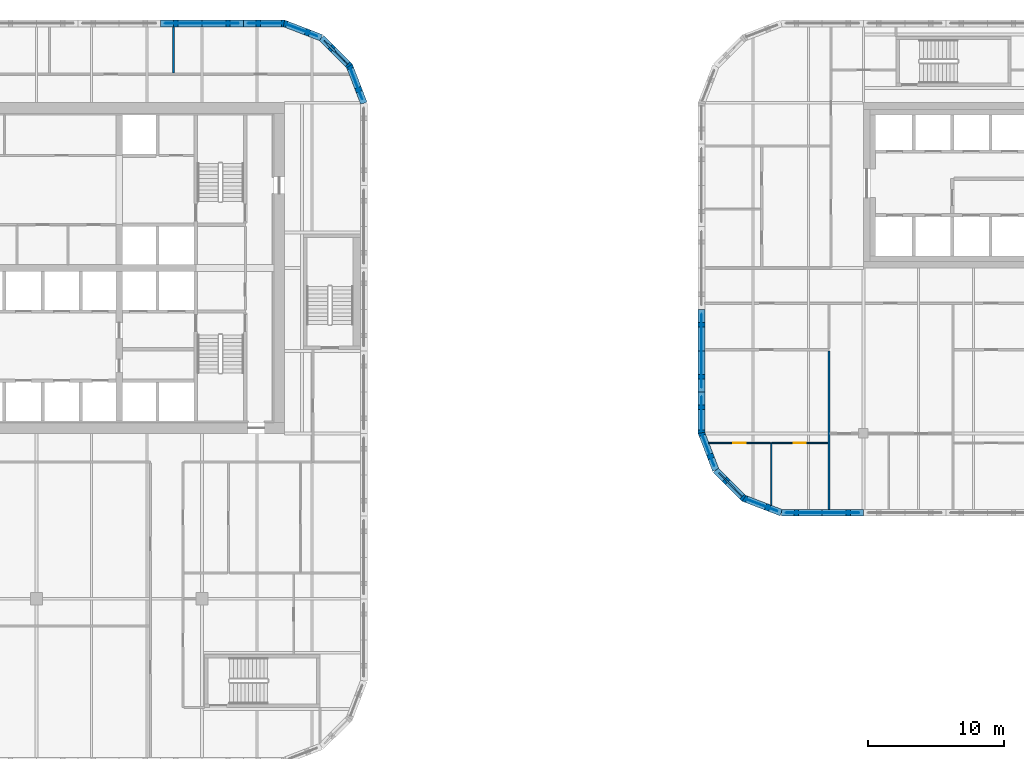
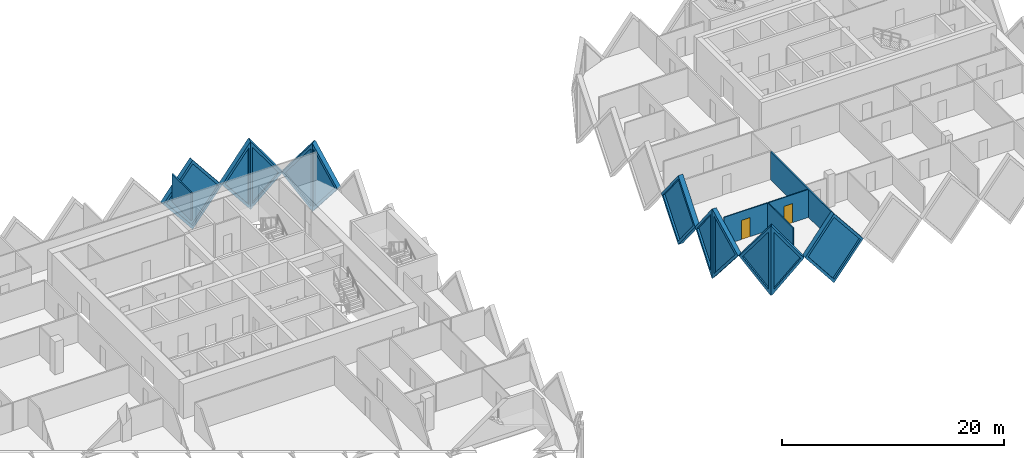
# One storey, part 11 of 18: 16 walls, 11 plates, 2 doors, 13 openings.
"""IFC4 building model written with IfcOpenShell, lengths in metres."""

from ifc_helpers import new_model, si_unit, direction, frame, frame_2d, origin, place, context, subcontext, project, spatial, polyline, rectangle, outline, extrude, faceted_brep, source, transform, mapped, material, layer, layer_set, type_object, element, fill, save


model = new_model("IFC4")

# Units and contexts
model_context = context("Model", 3, precision=1e-05, world=origin(), true_north=direction((0.0, 1.0)))
body_context = subcontext(model_context, "Body", "Model", "MODEL_VIEW")
ifc_project = project(units=[si_unit("LENGTHUNIT", "METRE"), si_unit("AREAUNIT", "SQUARE_METRE"), si_unit("VOLUMEUNIT", "CUBIC_METRE"), si_unit("PLANEANGLEUNIT", "RADIAN"), si_unit("MASSUNIT", "GRAM", prefix="KILO")], contexts=[model_context])

# Site, building, storey
site_placement = place(None, origin())
site = spatial("IfcSite", under=ifc_project, at=site_placement, CompositionType="ELEMENT")
building_placement = place(site_placement, origin())
building = spatial("IfcBuilding", under=site, at=building_placement, Name="Tessera Gate Towers", CompositionType="ELEMENT")
storey_placement = place(building_placement, frame((0.0, 0.0, 99.0)))
storey = spatial("IfcBuildingStorey", under=building, at=storey_placement, Name="L24", CompositionType="ELEMENT", Elevation=99.0)

# Wall
ifc_material_1 = material(Name="Gypsum board on steel studs", Category="steel")
ifc_layer_1 = layer(ifc_material_1, 0.10009765625)
ifc_layer_set_1 = layer_set([ifc_layer_1], Name="PARTITION 100")
wall_type_1 = type_object("IfcWallType", Name="PARTITION 100", PredefinedType="PARTITIONING", material=ifc_layer_set_1)
wall_1_placement = place(storey_placement, frame((90.794921875, 19.10791015625, 0.0), z_axis=(0.0, 0.0, 1.0), x_axis=(0.0, 1.0, 0.0)))
element("IfcWall", 1, at=wall_1_placement, inside=storey, type_object=wall_type_1, Name="T2-L24-PW-007", PredefinedType="PARTITIONING", context=body_context, shape_type="SweptSolid", body=[
    extrude(rectangle(XDim=4.592041015625, YDim=0.10009765625, at=frame_2d((2.2958984375, 0.0))), origin(), (0.0, 0.0, 1.0), 3.06689453125),
])

# Wall, opening, door
wall_2_placement = place(storey_placement, frame((90.744140625, 23.699951171875, 0.0), z_axis=(0.0, 0.0, 1.0), x_axis=(-1.0, 0.0, 0.0)))
wall_2 = element("IfcWall", 2, at=wall_2_placement, inside=storey, type_object=wall_type_1, Name="T2-L24-PW-008", PredefinedType="PARTITIONING", context=body_context, shape_type="SweptSolid", body=[
    extrude(rectangle(XDim=4.538330078125, YDim=0.10009765625, at=frame_2d((2.26904296875, 0.0))), origin(), (0.0, 0.0, 1.0), 3.06689453125),
])
shared_shape_1 = source(origin(), body_context, "Body", "SweptSolid", [
    extrude(rectangle(XDim=0.89990234375, YDim=2.10009765625, at=frame_2d((0.449951171875, 1.050048828125))), frame((0.0, 0.06005859375, 0.0), z_axis=(0.0, -1.0, 0.0), x_axis=(1.0, 0.0, 0.0)), (0.0, 0.0, 1.0), 0.1201171875),
])
opening_1_placement = place(wall_2_placement, frame((1.83837890625, 0.0, 0.0)))
opening_1 = element("IfcOpeningElement", 3, at=opening_1_placement, cuts=wall_2, Name="Opening D190-B10-04", PredefinedType="OPENING", context=body_context, shape_type="MappedRepresentation", body=[
    mapped(shared_shape_1, transform((0.0, 0.0, 0.0), scale=1.0)),
])
ifc_material_2 = material(Name="Timber door leaf in steel frame", Category="steel")
door_type = type_object("IfcDoorType", Name="INTERNAL DOOR 900 NOT RATED", OperationType="NOTDEFINED", PredefinedType="DOOR", material=ifc_material_2)
shared_shape_2 = source(origin(), body_context, "Body", "SweptSolid", [
    extrude(rectangle(XDim=0.89990234375, YDim=2.10009765625, at=frame_2d((0.449951171875, 1.050048828125))), frame((0.0, 0.02490234375, 0.0), z_axis=(0.0, -1.0, 0.0), x_axis=(1.0, 0.0, 0.0)), (0.0, 0.0, 1.0), 0.050048828125),
])
door_1_placement = place(opening_1_placement, origin())
door_1 = element("IfcDoor", 4, at=door_1_placement, inside=storey, type_object=door_type, Name="T2-L24-PD-004", OperationType="SINGLE_SWING_RIGHT", OverallHeight=2.10009765625, OverallWidth=0.89990234375, PredefinedType="DOOR", context=body_context, shape_type="MappedRepresentation", body=[
    mapped(shared_shape_2, transform((0.0, 0.0, 0.0), scale=1.0)),
])
fill(opening_1, door_1)

wall_3_placement = place(storey_placement, frame((94.97412109375, 23.699951171875, 0.0), z_axis=(0.0, 0.0, 1.0), x_axis=(-1.0, 0.0, 0.0)))
wall_3 = element("IfcWall", 5, at=wall_3_placement, inside=storey, type_object=wall_type_1, Name="T2-L24-PW-009", PredefinedType="PARTITIONING", context=body_context, shape_type="SweptSolid", body=[
    extrude(rectangle(XDim=4.1279296875, YDim=0.10009765625, at=frame_2d((2.06396484375, 0.0))), origin(), (0.0, 0.0, 1.0), 3.06689453125),
])
opening_2_placement = place(wall_3_placement, frame((1.627685546875, 0.0, 0.0)))
opening_2 = element("IfcOpeningElement", 6, at=opening_2_placement, cuts=wall_3, Name="Opening D190-B10-02", PredefinedType="OPENING", context=body_context, shape_type="MappedRepresentation", body=[
    mapped(shared_shape_1, transform((0.0, 0.0, 0.0), scale=1.0)),
])
door_2_placement = place(opening_2_placement, origin())
door_2 = element("IfcDoor", 7, at=door_2_placement, inside=storey, type_object=door_type, Name="T2-L24-PD-002", OperationType="SINGLE_SWING_RIGHT", OverallHeight=2.10009765625, OverallWidth=0.89990234375, PredefinedType="DOOR", context=body_context, shape_type="MappedRepresentation", body=[
    mapped(shared_shape_2, transform((0.0, 0.0, 0.0), scale=1.0)),
])
fill(opening_2, door_2)

# Walls
ifc_material_3 = material(Name="Gypsum board on steel studs, mineral wool", Category="steel")
ifc_layer_2 = layer(ifc_material_3, 0.14990234375)
ifc_layer_set_2 = layer_set([ifc_layer_2], Name="TENANCY WALL 150")
wall_type_2 = type_object("IfcWallType", Name="TENANCY WALL 150", PredefinedType="PARTITIONING", material=ifc_layer_set_2)
wall_4_placement = place(storey_placement, frame((46.699951171875, 50.97607421875, 0.0), z_axis=(0.0, 0.0, 1.0), x_axis=(0.0, 1.0, 0.0)))
element("IfcWall", 8, at=wall_4_placement, inside=storey, type_object=wall_type_2, Name="T1-L24-PW-052", PredefinedType="PARTITIONING", context=body_context, shape_type="SweptSolid", body=[
    extrude(rectangle(XDim=3.423828125, YDim=0.14990234375, at=frame_2d((1.7119140625, 0.0))), origin(), (0.0, 0.0, 1.0), 3.06689453125),
])
wall_5_placement = place(storey_placement, frame((95.050048828125, 18.800048828125, 0.0), z_axis=(0.0, 0.0, 1.0), x_axis=(0.0, 1.0, 0.0)))
element("IfcWall", 9, at=wall_5_placement, inside=storey, type_object=wall_type_2, Name="T2-L24-PW-001", PredefinedType="PARTITIONING", context=body_context, shape_type="SweptSolid", body=[
    extrude(rectangle(XDim=11.698974609375, YDim=0.14990234375, at=frame_2d((5.849609375, 0.0))), origin(), (0.0, 0.0, 1.0), 3.06689453125),
])

# Wall, opening, plate
ifc_material_4 = material(Name="Precast concrete C60/75 white", Category="concrete")
ifc_layer_3 = layer(ifc_material_4, 0.5)
ifc_layer_set_3 = layer_set([ifc_layer_3], Name="TS1 tessera")
wall_type_3 = type_object("IfcWallType", Name="TS1 tessera", PredefinedType="SOLIDWALL", material=ifc_layer_set_3)
shared_shape_3 = source(origin(), body_context, "Body", "Brep", [
    faceted_brep([(3.00341796875, -0.25, 0.0), (6.053466796875, -0.25, 3.800048828125), (3.00341796875, -0.25, 7.60009765625), (0.0, -0.25, 3.800048828125), (0.046630859375, 0.25, 3.85888671875), (3.00341796875, 0.25, 7.60009765625), (6.053466796875, 0.25, 3.800048828125), (3.00341796875, 0.25, 0.0), (0.046630859375, 0.25, 3.7412109375), (0.0, 0.0, 3.800048828125)], [[[0, 1, 2, 3]], [[4, 5, 6, 7, 8]], [[7, 6, 1, 0]], [[6, 5, 2, 1]], [[5, 4, 9, 3, 2]], [[8, 7, 0, 3, 9]], [[8, 9, 4]]]),
])
wall_6_placement = place(storey_placement, frame((91.546630859375, 18.550048828125, -3.800048828125), z_axis=(0.0, 0.0, 1.0), x_axis=(1.0, 0.0, 0.0)))
wall_6 = element("IfcWall", 10, at=wall_6_placement, inside=storey, type_object=wall_type_3, Name="Precast tessera T2 TS1-0288", PredefinedType="SOLIDWALL", context=body_context, shape_type="MappedRepresentation", body=[
    mapped(shared_shape_3, transform((0.0, 0.0, 0.0), scale=1.0)),
])
shared_shape_4 = source(origin(), body_context, "Body", "SweptSolid", [
    extrude(outline(polyline([(3.0048828125, 0.4013671875), (5.73291015625, 3.800048828125), (3.0048828125, 7.19873046875), (0.318603515625, 3.800048828125), (3.0048828125, 0.4013671875)])), frame((0.0, 0.260009765625, 0.0), z_axis=(0.0, -1.0, 0.0), x_axis=(1.0, 0.0, 0.0)), (0.0, 0.0, 1.0), 0.52001953125),
])
opening_3_placement = place(wall_6_placement, origin())
opening_3 = element("IfcOpeningElement", 11, at=opening_3_placement, cuts=wall_6, Name="Opening T2-PL2-0544", PredefinedType="OPENING", context=body_context, shape_type="MappedRepresentation", body=[
    mapped(shared_shape_4, transform((0.0, 0.0, 0.0), scale=1.0)),
])
ifc_material_5 = material(Name="Low-e laminated glass", Category="glass")
ifc_layer_4 = layer(ifc_material_5, 0.06005859375)
ifc_layer_set_4 = layer_set([ifc_layer_4], Name="PL2 rhombic pane")
plate_type = type_object("IfcPlateType", Name="PL2 rhombic pane", PredefinedType="SHEET", material=ifc_layer_set_4)
shared_shape_5 = source(origin(), body_context, "Body", "SweptSolid", [
    extrude(outline(polyline([(3.0048828125, 0.4013671875), (5.73291015625, 3.800048828125), (3.0048828125, 7.19873046875), (0.318603515625, 3.800048828125), (3.0048828125, 0.4013671875)])), frame((0.0, 0.030029296875, 0.0), z_axis=(0.0, -1.0, 0.0), x_axis=(1.0, 0.0, 0.0)), (0.0, 0.0, 1.0), 0.06005859375),
])
plate_1_placement = place(opening_3_placement, origin())
plate_1 = element("IfcPlate", 12, at=plate_1_placement, inside=storey, type_object=plate_type, Name="Glass pane T2 PL2-0544", PredefinedType="SHEET", context=body_context, shape_type="MappedRepresentation", body=[
    mapped(shared_shape_5, transform((0.0, 0.0, 0.0), scale=1.0)),
])
fill(opening_3, plate_1)

shared_shape_6 = source(origin(), body_context, "Body", "SweptSolid", [
    extrude(outline(polyline([(3.050048828125, 0.0), (6.10009765625, 3.800048828125), (3.050048828125, 7.60009765625), (0.0, 3.800048828125), (3.050048828125, 0.0)])), frame((0.0, 0.25, 0.0), z_axis=(0.0, -1.0, 0.0), x_axis=(1.0, 0.0, 0.0)), (0.0, 0.0, 1.0), 0.5),
])
wall_7_placement = place(storey_placement, frame((51.85009765625, 54.64990234375, -3.800048828125), z_axis=(0.0, 0.0, 1.0), x_axis=(-1.0, 0.0, 0.0)))
wall_7 = element("IfcWall", 13, at=wall_7_placement, inside=storey, type_object=wall_type_3, Name="Precast tessera T1 TS1-0401", PredefinedType="SOLIDWALL", context=body_context, shape_type="MappedRepresentation", body=[
    mapped(shared_shape_6, transform((0.0, 0.0, 0.0), scale=1.0)),
])
shared_shape_7 = source(origin(), body_context, "Body", "SweptSolid", [
    extrude(outline(polyline([(3.050048828125, 0.3994140625), (5.779541015625, 3.800048828125), (3.050048828125, 7.20068359375), (0.320556640625, 3.800048828125), (3.050048828125, 0.3994140625)])), frame((0.0, 0.260009765625, 0.0), z_axis=(0.0, -1.0, 0.0), x_axis=(1.0, 0.0, 0.0)), (0.0, 0.0, 1.0), 0.52001953125),
])
opening_4_placement = place(wall_7_placement, origin())
opening_4 = element("IfcOpeningElement", 14, at=opening_4_placement, cuts=wall_7, Name="Opening T1-PL2-0819", PredefinedType="OPENING", context=body_context, shape_type="MappedRepresentation", body=[
    mapped(shared_shape_7, transform((0.0, 0.0, 0.0), scale=1.0)),
])
shared_shape_8 = source(origin(), body_context, "Body", "SweptSolid", [
    extrude(outline(polyline([(3.050048828125, 0.3994140625), (5.779541015625, 3.800048828125), (3.050048828125, 7.20068359375), (0.320556640625, 3.800048828125), (3.050048828125, 0.3994140625)])), frame((0.0, 0.030029296875, 0.0), z_axis=(0.0, -1.0, 0.0), x_axis=(1.0, 0.0, 0.0)), (0.0, 0.0, 1.0), 0.06005859375),
])
plate_2_placement = place(opening_4_placement, origin())
plate_2 = element("IfcPlate", 15, at=plate_2_placement, inside=storey, type_object=plate_type, Name="Glass pane T1 PL2-0819", PredefinedType="SHEET", context=body_context, shape_type="MappedRepresentation", body=[
    mapped(shared_shape_8, transform((0.0, 0.0, 0.0), scale=1.0)),
])
fill(opening_4, plate_2)

wall_8_placement = place(storey_placement, frame((85.64990234375, 33.550048828125, -3.800048828125), z_axis=(0.0, 0.0, 1.0), x_axis=(0.0, -1.0, 0.0)))
wall_8 = element("IfcWall", 16, at=wall_8_placement, inside=storey, type_object=wall_type_3, Name="Precast tessera T2 TS1-0305", PredefinedType="SOLIDWALL", context=body_context, shape_type="MappedRepresentation", body=[
    mapped(shared_shape_6, transform((0.0, 0.0, 0.0), scale=1.0)),
])
opening_5_placement = place(wall_8_placement, origin())
opening_5 = element("IfcOpeningElement", 17, at=opening_5_placement, cuts=wall_8, Name="Opening T2-PL2-0569", PredefinedType="OPENING", context=body_context, shape_type="MappedRepresentation", body=[
    mapped(shared_shape_7, transform((0.0, 0.0, 0.0), scale=1.0)),
])
plate_3_placement = place(opening_5_placement, origin())
plate_3 = element("IfcPlate", 18, at=plate_3_placement, inside=storey, type_object=plate_type, Name="Glass pane T2 PL2-0569", PredefinedType="SHEET", context=body_context, shape_type="MappedRepresentation", body=[
    mapped(shared_shape_8, transform((0.0, 0.0, 0.0), scale=1.0)),
])
fill(opening_5, plate_3)

ifc_material_6 = material(Name="Precast concrete C60/75 white", Category="concrete")
ifc_layer_5 = layer(ifc_material_6, 0.5)
ifc_layer_set_5 = layer_set([ifc_layer_5], Name="TS3 corner tessera")
wall_type_4 = type_object("IfcWallType", Name="TS3 corner tessera", PredefinedType="SOLIDWALL", material=ifc_layer_set_5)
shared_shape_9 = source(origin(), body_context, "Body", "Brep", [
    faceted_brep([(2.950439453125, -0.25, 0.0), (2.9970703125, -0.25, 0.05908203125), (2.9970703125, -0.25, 7.541015625), (2.950439453125, -0.25, 7.60009765625), (0.0, -0.25, 3.800048828125), (0.052978515625, 0.25, 3.8681640625), (2.904052734375, 0.25, 7.540283203125), (2.904052734375, 0.25, 0.059814453125), (0.052978515625, 0.25, 3.73193359375), (2.950439453125, 0.00048828125, 0.0), (2.950439453125, 0.00048828125, 7.60009765625), (0.0, 0.0, 3.800048828125)], [[[0, 1, 2, 3, 4]], [[5, 6, 7, 8]], [[1, 0, 9]], [[10, 3, 2]], [[6, 5, 11, 4, 3, 10]], [[8, 7, 9, 0, 4, 11]], [[8, 11, 5]], [[1, 9, 7, 6, 10, 2]]]),
])
wall_9_placement = place(storey_placement, frame((57.606201171875, 53.588134765625, -3.800048828125), z_axis=(0.0, 0.0, 1.0), x_axis=(-0.932990326376, 0.359901446078, 0.0)))
wall_9 = element("IfcWall", 19, at=wall_9_placement, inside=storey, type_object=wall_type_4, Name="Precast corner tessera T1 TS3-0537", PredefinedType="SOLIDWALL", context=body_context, shape_type="MappedRepresentation", body=[
    mapped(shared_shape_9, transform((0.0, 0.0, 0.0), scale=1.0)),
])
shared_shape_10 = source(origin(), body_context, "Body", "SweptSolid", [
    extrude(outline(polyline([(2.75048828125, 6.934814453125), (0.31640625, 3.800048828125), (2.75048828125, 0.665283203125), (2.75048828125, 6.934814453125)])), frame((0.0, 0.260009765625, 0.0), z_axis=(0.0, -1.0, 0.0), x_axis=(1.0, 0.0, 0.0)), (0.0, 0.0, 1.0), 0.52001953125),
])
opening_6_placement = place(wall_9_placement, origin())
opening_6 = element("IfcOpeningElement", 20, at=opening_6_placement, cuts=wall_9, Name="Opening T1-PL2-0817", PredefinedType="OPENING", context=body_context, shape_type="MappedRepresentation", body=[
    mapped(shared_shape_10, transform((0.0, 0.0, 0.0), scale=1.0)),
])
shared_shape_11 = source(origin(), body_context, "Body", "SweptSolid", [
    extrude(outline(polyline([(2.75048828125, 6.934814453125), (0.31640625, 3.800048828125), (2.75048828125, 0.665283203125), (2.75048828125, 6.934814453125)])), frame((0.0, 0.030029296875, 0.0), z_axis=(0.0, -1.0, 0.0), x_axis=(1.0, 0.0, 0.0)), (0.0, 0.0, 1.0), 0.06005859375),
])
plate_4_placement = place(opening_6_placement, origin())
plate_4 = element("IfcPlate", 21, at=plate_4_placement, inside=storey, type_object=plate_type, Name="Glass pane T1 PL2-0817", PredefinedType="SHEET", context=body_context, shape_type="MappedRepresentation", body=[
    mapped(shared_shape_11, transform((0.0, 0.0, 0.0), scale=1.0)),
])
fill(opening_6, plate_4)

shared_shape_12 = source(origin(), body_context, "Body", "Brep", [
    faceted_brep([(0.046630859375, -0.25, 0.0), (3.050048828125, -0.25, 3.800048828125), (0.046630859375, -0.25, 7.60009765625), (0.0, -0.25, 7.5400390625), (0.0, -0.25, 0.06005859375), (0.09326171875, 0.25, 7.541259765625), (3.050048828125, 0.25, 3.800048828125), (0.09326171875, 0.25, 0.058837890625), (0.046630859375, 0.0, 0.0), (0.046630859375, 0.0, 7.60009765625)], [[[0, 1, 2, 3, 4]], [[5, 6, 7]], [[7, 6, 1, 0, 8]], [[6, 5, 9, 2, 1]], [[3, 2, 9]], [[8, 0, 4]], [[7, 8, 4, 3, 9, 5]]]),
])
wall_10_placement = place(storey_placement, frame((54.900146484375, 54.64990234375, -3.800048828125), z_axis=(0.0, 0.0, 1.0), x_axis=(-1.0, 0.0, 0.0)))
wall_10 = element("IfcWall", 22, at=wall_10_placement, inside=storey, type_object=wall_type_4, Name="Precast corner tessera T1 TS3-0538", PredefinedType="SOLIDWALL", context=body_context, shape_type="MappedRepresentation", body=[
    mapped(shared_shape_12, transform((0.0, 0.0, 0.0), scale=1.0)),
])
shared_shape_13 = source(origin(), body_context, "Body", "SweptSolid", [
    extrude(outline(polyline([(0.24658203125, 0.65625), (2.7314453125, 3.800048828125), (0.24658203125, 6.94384765625), (0.24658203125, 0.65625)])), frame((0.0, 0.260009765625, 0.0), z_axis=(0.0, -1.0, 0.0), x_axis=(1.0, 0.0, 0.0)), (0.0, 0.0, 1.0), 0.52001953125),
])
opening_7_placement = place(wall_10_placement, origin())
opening_7 = element("IfcOpeningElement", 23, at=opening_7_placement, cuts=wall_10, Name="Opening T1-PL2-0818", PredefinedType="OPENING", context=body_context, shape_type="MappedRepresentation", body=[
    mapped(shared_shape_13, transform((0.0, 0.0, 0.0), scale=1.0)),
])
shared_shape_14 = source(origin(), body_context, "Body", "SweptSolid", [
    extrude(outline(polyline([(0.24658203125, 0.65625), (2.7314453125, 3.800048828125), (0.24658203125, 6.94384765625), (0.24658203125, 0.65625)])), frame((0.0, 0.030029296875, 0.0), z_axis=(0.0, -1.0, 0.0), x_axis=(1.0, 0.0, 0.0)), (0.0, 0.0, 1.0), 0.06005859375),
])
plate_5_placement = place(opening_7_placement, origin())
plate_5 = element("IfcPlate", 24, at=plate_5_placement, inside=storey, type_object=plate_type, Name="Glass pane T1 PL2-0818", PredefinedType="SHEET", context=body_context, shape_type="MappedRepresentation", body=[
    mapped(shared_shape_14, transform((0.0, 0.0, 0.0), scale=1.0)),
])
fill(opening_7, plate_5)

shared_shape_15 = source(origin(), body_context, "Body", "Brep", [
    faceted_brep([(3.00341796875, -0.25, 0.0), (3.050048828125, -0.25, 0.06005859375), (3.050048828125, -0.25, 7.5400390625), (3.00341796875, -0.25, 7.60009765625), (0.0, -0.25, 3.800048828125), (0.0, 0.25, 3.800048828125), (2.956787109375, 0.25, 7.541259765625), (2.956787109375, 0.25, 0.058837890625), (3.00341796875, 0.000244140625, 0.0), (3.00341796875, 0.000244140625, 7.60009765625)], [[[0, 1, 2, 3, 4]], [[5, 6, 7]], [[1, 0, 8]], [[9, 3, 2]], [[6, 5, 4, 3, 9]], [[5, 7, 8, 0, 4]], [[1, 8, 7, 6, 9, 2]]]),
])
wall_11_placement = place(storey_placement, frame((85.64990234375, 27.449951171875, -3.800048828125), z_axis=(0.0, 0.0, 1.0), x_axis=(0.0, -1.0, 0.0)))
wall_11 = element("IfcWall", 25, at=wall_11_placement, inside=storey, type_object=wall_type_4, Name="Precast corner tessera T2 TS3-0369", PredefinedType="SOLIDWALL", context=body_context, shape_type="MappedRepresentation", body=[
    mapped(shared_shape_15, transform((0.0, 0.0, 0.0), scale=1.0)),
])
shared_shape_16 = source(origin(), body_context, "Body", "SweptSolid", [
    extrude(outline(polyline([(2.803466796875, 6.94384765625), (0.318603515625, 3.800048828125), (2.803466796875, 0.65625), (2.803466796875, 6.94384765625)])), frame((0.0, 0.260009765625, 0.0), z_axis=(0.0, -1.0, 0.0), x_axis=(1.0, 0.0, 0.0)), (0.0, 0.0, 1.0), 0.52001953125),
])
opening_8_placement = place(wall_11_placement, origin())
opening_8 = element("IfcOpeningElement", 26, at=opening_8_placement, cuts=wall_11, Name="Opening T2-PL2-0570", PredefinedType="OPENING", context=body_context, shape_type="MappedRepresentation", body=[
    mapped(shared_shape_16, transform((0.0, 0.0, 0.0), scale=1.0)),
])
shared_shape_17 = source(origin(), body_context, "Body", "SweptSolid", [
    extrude(outline(polyline([(2.803466796875, 6.94384765625), (0.318603515625, 3.800048828125), (2.803466796875, 0.65625), (2.803466796875, 6.94384765625)])), frame((0.0, 0.030029296875, 0.0), z_axis=(0.0, -1.0, 0.0), x_axis=(1.0, 0.0, 0.0)), (0.0, 0.0, 1.0), 0.06005859375),
])
plate_6_placement = place(opening_8_placement, origin())
plate_6 = element("IfcPlate", 27, at=plate_6_placement, inside=storey, type_object=plate_type, Name="Glass pane T2 PL2-0570", PredefinedType="SHEET", context=body_context, shape_type="MappedRepresentation", body=[
    mapped(shared_shape_17, transform((0.0, 0.0, 0.0), scale=1.0)),
])
fill(opening_8, plate_6)

shared_shape_18 = source(origin(), body_context, "Body", "Brep", [
    faceted_brep([(0.046630859375, -0.25, 0.0), (2.9970703125, -0.25, 3.800048828125), (0.046630859375, -0.25, 7.60009765625), (0.0, -0.25, 7.541259765625), (0.0, -0.25, 0.058837890625), (0.09326171875, 0.25, 7.5400390625), (2.9443359375, 0.25, 3.8681640625), (2.9443359375, 0.25, 3.73193359375), (0.09326171875, 0.25, 0.06005859375), (2.9970703125, 0.00048828125, 3.800048828125), (0.046630859375, 0.0, 0.0), (0.046630859375, 0.0, 7.60009765625)], [[[0, 1, 2, 3, 4]], [[5, 6, 7, 8]], [[8, 7, 9, 1, 0, 10]], [[6, 5, 11, 2, 1, 9]], [[3, 2, 11]], [[10, 0, 4]], [[8, 10, 4, 3, 11, 5]], [[9, 7, 6]]]),
])
wall_12_placement = place(storey_placement, frame((85.63330078125, 24.489990234375, -3.800048828125), z_axis=(0.0, 0.0, 1.0), x_axis=(0.359901446078, -0.932990326376, 0.0)))
wall_12 = element("IfcWall", 28, at=wall_12_placement, inside=storey, type_object=wall_type_4, Name="Precast corner tessera T2 TS3-0370", PredefinedType="SOLIDWALL", context=body_context, shape_type="MappedRepresentation", body=[
    mapped(shared_shape_18, transform((0.0, 0.0, 0.0), scale=1.0)),
])
shared_shape_19 = source(origin(), body_context, "Body", "SweptSolid", [
    extrude(outline(polyline([(0.24658203125, 0.665283203125), (2.6806640625, 3.800048828125), (0.24658203125, 6.934814453125), (0.24658203125, 0.665283203125)])), frame((0.0, 0.260009765625, 0.0), z_axis=(0.0, -1.0, 0.0), x_axis=(1.0, 0.0, 0.0)), (0.0, 0.0, 1.0), 0.52001953125),
])
opening_9_placement = place(wall_12_placement, origin())
opening_9 = element("IfcOpeningElement", 29, at=opening_9_placement, cuts=wall_12, Name="Opening T2-PL2-0571", PredefinedType="OPENING", context=body_context, shape_type="MappedRepresentation", body=[
    mapped(shared_shape_19, transform((0.0, 0.0, 0.0), scale=1.0)),
])
shared_shape_20 = source(origin(), body_context, "Body", "SweptSolid", [
    extrude(outline(polyline([(0.24658203125, 0.665283203125), (2.6806640625, 3.800048828125), (0.24658203125, 6.934814453125), (0.24658203125, 0.665283203125)])), frame((0.0, 0.030029296875, 0.0), z_axis=(0.0, -1.0, 0.0), x_axis=(1.0, 0.0, 0.0)), (0.0, 0.0, 1.0), 0.06005859375),
])
plate_7_placement = place(opening_9_placement, origin())
plate_7 = element("IfcPlate", 30, at=plate_7_placement, inside=storey, type_object=plate_type, Name="Glass pane T2 PL2-0571", PredefinedType="SHEET", context=body_context, shape_type="MappedRepresentation", body=[
    mapped(shared_shape_20, transform((0.0, 0.0, 0.0), scale=1.0)),
])
fill(opening_9, plate_7)

shared_shape_21 = source(origin(), body_context, "Body", "Brep", [
    faceted_brep([(2.944091796875, -0.25, 0.0), (2.9970703125, -0.25, 0.068115234375), (2.9970703125, -0.25, 7.531982421875), (2.944091796875, -0.25, 7.60009765625), (0.0, -0.25, 3.800048828125), (0.052978515625, 0.25, 3.868408203125), (2.89111328125, 0.25, 7.531982421875), (2.89111328125, 0.25, 0.068115234375), (0.052978515625, 0.25, 3.731689453125), (2.944091796875, 0.000244140625, 0.0), (2.944091796875, 0.000244140625, 7.60009765625), (0.0, 0.0, 3.800048828125)], [[[0, 1, 2, 3, 4]], [[5, 6, 7, 8]], [[1, 0, 9]], [[10, 3, 2]], [[6, 5, 11, 4, 3, 10]], [[8, 7, 9, 0, 4, 11]], [[8, 11, 5]], [[1, 9, 7, 6, 10, 2]]]),
])
wall_13_placement = place(storey_placement, frame((86.7119140625, 21.69384765625, -3.800048828125), z_axis=(0.0, 0.0, 1.0), x_axis=(0.707066050402, -0.707147509625, 0.0)))
wall_13 = element("IfcWall", 31, at=wall_13_placement, inside=storey, type_object=wall_type_4, Name="Precast corner tessera T2 TS3-0371", PredefinedType="SOLIDWALL", context=body_context, shape_type="MappedRepresentation", body=[
    mapped(shared_shape_21, transform((0.0, 0.0, 0.0), scale=1.0)),
])
shared_shape_22 = source(origin(), body_context, "Body", "SweptSolid", [
    extrude(outline(polyline([(2.744140625, 6.933837890625), (0.316162109375, 3.800048828125), (2.744140625, 0.666259765625), (2.744140625, 6.933837890625)])), frame((0.0, 0.260009765625, 0.0), z_axis=(0.0, -1.0, 0.0), x_axis=(1.0, 0.0, 0.0)), (0.0, 0.0, 1.0), 0.52001953125),
])
opening_10_placement = place(wall_13_placement, origin())
opening_10 = element("IfcOpeningElement", 32, at=opening_10_placement, cuts=wall_13, Name="Opening T2-PL2-0572", PredefinedType="OPENING", context=body_context, shape_type="MappedRepresentation", body=[
    mapped(shared_shape_22, transform((0.0, 0.0, 0.0), scale=1.0)),
])
shared_shape_23 = source(origin(), body_context, "Body", "SweptSolid", [
    extrude(outline(polyline([(2.744140625, 6.933837890625), (0.316162109375, 3.800048828125), (2.744140625, 0.666259765625), (2.744140625, 6.933837890625)])), frame((0.0, 0.030029296875, 0.0), z_axis=(0.0, -1.0, 0.0), x_axis=(1.0, 0.0, 0.0)), (0.0, 0.0, 1.0), 0.06005859375),
])
plate_8_placement = place(opening_10_placement, origin())
plate_8 = element("IfcPlate", 33, at=plate_8_placement, inside=storey, type_object=plate_type, Name="Glass pane T2 PL2-0572", PredefinedType="SHEET", context=body_context, shape_type="MappedRepresentation", body=[
    mapped(shared_shape_23, transform((0.0, 0.0, 0.0), scale=1.0)),
])
fill(opening_10, plate_8)

shared_shape_24 = source(origin(), body_context, "Body", "Brep", [
    faceted_brep([(2.950439453125, -0.25, 0.0), (3.00341796875, -0.25, 0.068359375), (3.00341796875, -0.25, 7.53173828125), (2.950439453125, -0.25, 7.60009765625), (0.0, -0.25, 3.800048828125), (0.046630859375, 0.25, 3.860107421875), (2.897705078125, 0.25, 7.531982421875), (2.897705078125, 0.25, 0.068115234375), (0.046630859375, 0.25, 3.739990234375), (2.950439453125, 0.00048828125, 0.0), (2.950439453125, 0.00048828125, 7.60009765625), (0.0, 0.0, 3.800048828125)], [[[0, 1, 2, 3, 4]], [[5, 6, 7, 8]], [[1, 0, 9]], [[10, 3, 2]], [[6, 5, 11, 4, 3, 10]], [[8, 7, 9, 0, 4, 11]], [[8, 11, 5]], [[1, 9, 7, 6, 10, 2]]]),
])
wall_14_placement = place(storey_placement, frame((60.75, 48.75341796875, -3.800048828125), z_axis=(0.0, 0.0, 1.0), x_axis=(-0.35992665181, 0.932980602862, 0.0)))
wall_14 = element("IfcWall", 34, at=wall_14_placement, inside=storey, type_object=wall_type_4, Name="Precast corner tessera T1 TS3-0535", PredefinedType="SOLIDWALL", context=body_context, shape_type="MappedRepresentation", body=[
    mapped(shared_shape_24, transform((0.0, 0.0, 0.0), scale=1.0)),
])
opening_11_placement = place(wall_14_placement, origin())
opening_11 = element("IfcOpeningElement", 35, at=opening_11_placement, cuts=wall_14, Name="Opening T1-PL2-0815", PredefinedType="OPENING", context=body_context, shape_type="MappedRepresentation", body=[
    mapped(shared_shape_10, transform((0.0, 0.0, 0.0), scale=1.0)),
])
plate_9_placement = place(opening_11_placement, origin())
plate_9 = element("IfcPlate", 36, at=plate_9_placement, inside=storey, type_object=plate_type, Name="Glass pane T1 PL2-0815", PredefinedType="SHEET", context=body_context, shape_type="MappedRepresentation", body=[
    mapped(shared_shape_11, transform((0.0, 0.0, 0.0), scale=1.0)),
])
fill(opening_11, plate_9)

shared_shape_25 = source(origin(), body_context, "Body", "Brep", [
    faceted_brep([(0.052978515625, -0.25, 0.0), (2.9970703125, -0.25, 3.800048828125), (0.052978515625, -0.25, 7.60009765625), (0.0, -0.25, 7.531982421875), (0.0, -0.25, 0.068115234375), (0.10595703125, 0.25, 7.53173828125), (2.944091796875, 0.25, 3.8681640625), (2.944091796875, 0.25, 3.73193359375), (0.10595703125, 0.25, 0.068359375), (2.9970703125, 0.000244140625, 3.800048828125), (0.052978515625, 0.0, 0.0), (0.052978515625, 0.0, 7.60009765625)], [[[0, 1, 2, 3, 4]], [[5, 6, 7, 8]], [[8, 7, 9, 1, 0, 10]], [[6, 5, 11, 2, 1, 9]], [[3, 2, 11]], [[10, 0, 4]], [[8, 10, 4, 3, 11, 5]], [[9, 7, 6]]]),
])
wall_15_placement = place(storey_placement, frame((59.7255859375, 51.46875, -3.800048828125), z_axis=(0.0, 0.0, 1.0), x_axis=(-0.707106781187, 0.707106781187, 0.0)))
wall_15 = element("IfcWall", 37, at=wall_15_placement, inside=storey, type_object=wall_type_4, Name="Precast corner tessera T1 TS3-0536", PredefinedType="SOLIDWALL", context=body_context, shape_type="MappedRepresentation", body=[
    mapped(shared_shape_25, transform((0.0, 0.0, 0.0), scale=1.0)),
])
shared_shape_26 = source(origin(), body_context, "Body", "SweptSolid", [
    extrude(outline(polyline([(0.2529296875, 0.666259765625), (2.680908203125, 3.800048828125), (0.2529296875, 6.933837890625), (0.2529296875, 0.666259765625)])), frame((0.0, 0.260009765625, 0.0), z_axis=(0.0, -1.0, 0.0), x_axis=(1.0, 0.0, 0.0)), (0.0, 0.0, 1.0), 0.52001953125),
])
opening_12_placement = place(wall_15_placement, origin())
opening_12 = element("IfcOpeningElement", 38, at=opening_12_placement, cuts=wall_15, Name="Opening T1-PL2-0816", PredefinedType="OPENING", context=body_context, shape_type="MappedRepresentation", body=[
    mapped(shared_shape_26, transform((0.0, 0.0, 0.0), scale=1.0)),
])
shared_shape_27 = source(origin(), body_context, "Body", "SweptSolid", [
    extrude(outline(polyline([(0.2529296875, 0.666259765625), (2.680908203125, 3.800048828125), (0.2529296875, 6.933837890625), (0.2529296875, 0.666259765625)])), frame((0.0, 0.030029296875, 0.0), z_axis=(0.0, -1.0, 0.0), x_axis=(1.0, 0.0, 0.0)), (0.0, 0.0, 1.0), 0.06005859375),
])
plate_10_placement = place(opening_12_placement, origin())
plate_10 = element("IfcPlate", 39, at=plate_10_placement, inside=storey, type_object=plate_type, Name="Glass pane T1 PL2-0816", PredefinedType="SHEET", context=body_context, shape_type="MappedRepresentation", body=[
    mapped(shared_shape_27, transform((0.0, 0.0, 0.0), scale=1.0)),
])
fill(opening_12, plate_10)

shared_shape_28 = source(origin(), body_context, "Body", "Brep", [
    faceted_brep([(0.052978515625, -0.25, 0.0), (3.00341796875, -0.25, 3.800048828125), (0.052978515625, -0.25, 7.60009765625), (0.0, -0.25, 7.53173828125), (0.0, -0.25, 0.068359375), (0.10595703125, 0.25, 7.531982421875), (2.95703125, 0.25, 3.85986328125), (2.95703125, 0.25, 3.740234375), (0.10595703125, 0.25, 0.068115234375), (3.00341796875, 0.00048828125, 3.800048828125), (0.052978515625, 0.0, 0.0), (0.052978515625, 0.0, 7.60009765625)], [[[0, 1, 2, 3, 4]], [[5, 6, 7, 8]], [[8, 7, 9, 1, 0, 10]], [[6, 5, 11, 2, 1, 9]], [[3, 2, 11]], [[10, 0, 4]], [[8, 10, 4, 3, 11, 5]], [[9, 7, 6]]]),
])
wall_16_placement = place(storey_placement, frame((88.744384765625, 19.630859375, -3.800048828125), z_axis=(0.0, 0.0, 1.0), x_axis=(0.932997369089, -0.359883188373, 0.0)))
wall_16 = element("IfcWall", 40, at=wall_16_placement, inside=storey, type_object=wall_type_4, Name="Precast corner tessera T2 TS3-0372", PredefinedType="SOLIDWALL", context=body_context, shape_type="MappedRepresentation", body=[
    mapped(shared_shape_28, transform((0.0, 0.0, 0.0), scale=1.0)),
])
shared_shape_29 = source(origin(), body_context, "Body", "SweptSolid", [
    extrude(outline(polyline([(0.2529296875, 0.665283203125), (2.68701171875, 3.800048828125), (0.2529296875, 6.934814453125), (0.2529296875, 0.665283203125)])), frame((0.0, 0.260009765625, 0.0), z_axis=(0.0, -1.0, 0.0), x_axis=(1.0, 0.0, 0.0)), (0.0, 0.0, 1.0), 0.52001953125),
])
opening_13_placement = place(wall_16_placement, origin())
opening_13 = element("IfcOpeningElement", 41, at=opening_13_placement, cuts=wall_16, Name="Opening T2-PL2-0573", PredefinedType="OPENING", context=body_context, shape_type="MappedRepresentation", body=[
    mapped(shared_shape_29, transform((0.0, 0.0, 0.0), scale=1.0)),
])
shared_shape_30 = source(origin(), body_context, "Body", "SweptSolid", [
    extrude(outline(polyline([(0.2529296875, 0.665283203125), (2.68701171875, 3.800048828125), (0.2529296875, 6.934814453125), (0.2529296875, 0.665283203125)])), frame((0.0, 0.030029296875, 0.0), z_axis=(0.0, -1.0, 0.0), x_axis=(1.0, 0.0, 0.0)), (0.0, 0.0, 1.0), 0.06005859375),
])
plate_11_placement = place(opening_13_placement, origin())
plate_11 = element("IfcPlate", 42, at=plate_11_placement, inside=storey, type_object=plate_type, Name="Glass pane T2 PL2-0573", PredefinedType="SHEET", context=body_context, shape_type="MappedRepresentation", body=[
    mapped(shared_shape_30, transform((0.0, 0.0, 0.0), scale=1.0)),
])
fill(opening_13, plate_11)

save(model, "model.ifc")
